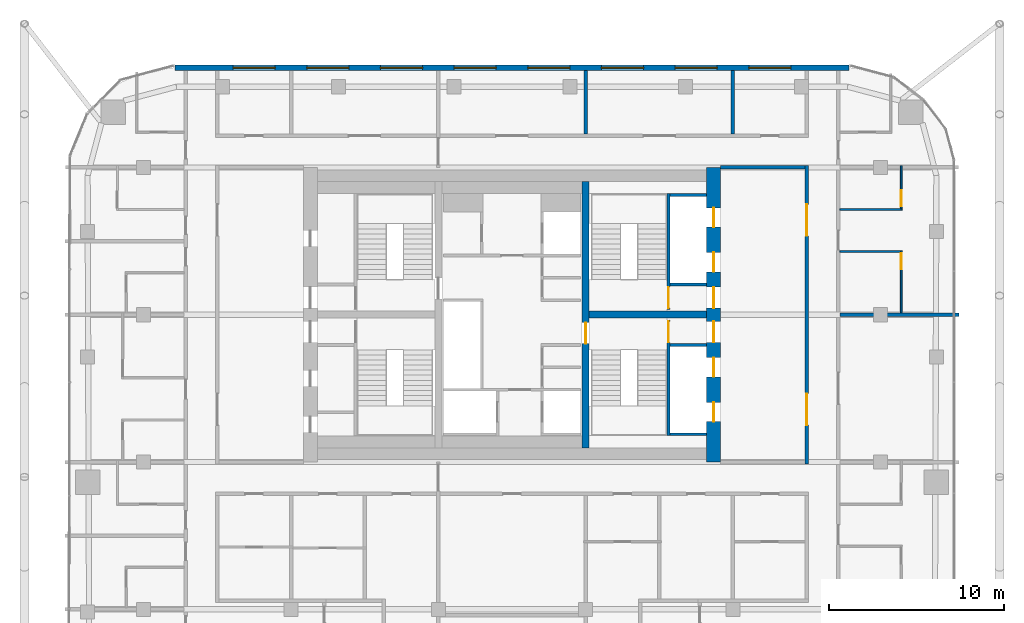
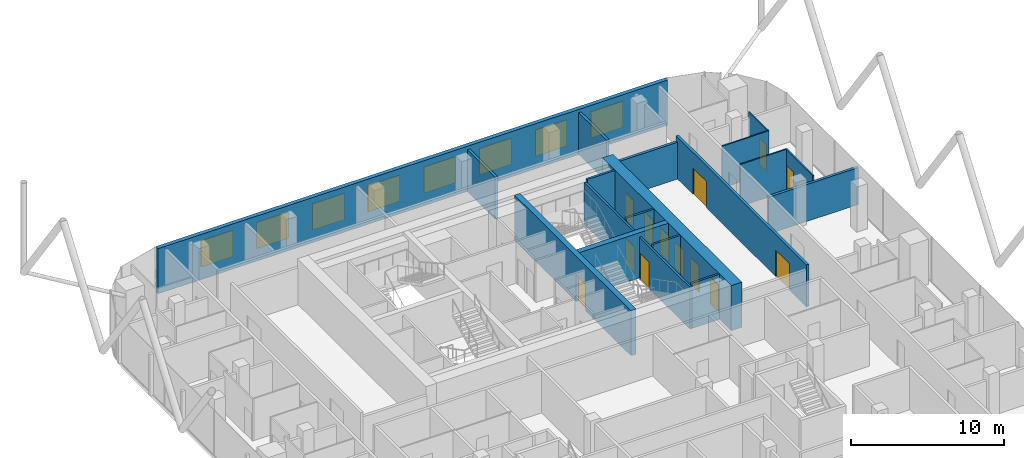
# One storey, part 26 of 28: 19 walls, 13 doors, 8 windows, 21 openings.
"""IFC4 building model written with IfcOpenShell, lengths in metres."""

from ifc_helpers import new_model, si_unit, direction, frame, frame_2d, origin, place, context, subcontext, project, spatial, rectangle, extrude, material, layer, layer_set, type_object, element, fill, save


model = new_model("IFC4")

# Units and contexts
model_context = context("Model", 3, precision=1e-05, world=origin(), true_north=direction((0.0, 1.0)))
body_context = subcontext(model_context, "Body", "Model", "MODEL_VIEW")
ifc_project = project(units=[si_unit("LENGTHUNIT", "METRE"), si_unit("AREAUNIT", "SQUARE_METRE"), si_unit("VOLUMEUNIT", "CUBIC_METRE"), si_unit("PLANEANGLEUNIT", "RADIAN"), si_unit("MASSUNIT", "GRAM", prefix="KILO")], contexts=[model_context])

# Site, building, storey
site_placement = place(None, origin())
site = spatial("IfcSite", under=ifc_project, at=site_placement, CompositionType="ELEMENT")
building_placement = place(site_placement, origin())
building = spatial("IfcBuilding", under=site, at=building_placement, Name="Marenta Gate Hotel Tower", CompositionType="ELEMENT")
storey_placement = place(building_placement, frame((0.0, 0.0, 227.300048828125)))
storey = spatial("IfcBuildingStorey", under=building, at=storey_placement, Name="L53", CompositionType="ELEMENT", Elevation=227.300048828125)

# Wall, openings, windows
ifc_material_1 = material(Name="Concrete C40 board-marked", Category="concrete")
ifc_layer_1 = layer(ifc_material_1, 0.300048828125)
ifc_layer_set_1 = layer_set([ifc_layer_1], Name="Concrete C40 board-marked")
wall_type_1 = type_object("IfcWallType", Name="Board-marked concrete wall 300 mm", PredefinedType="NOTDEFINED", material=ifc_layer_set_1)
wall_1_placement = place(storey_placement, frame((19.205810546875, 22.489990234375, 0.0), z_axis=(0.0, 0.0, 1.0), x_axis=(-1.0, 0.0, 0.0)))
wall_1 = element("IfcWall", 1, at=wall_1_placement, inside=storey, type_object=wall_type_1, Name="L53-CLD-N00", PredefinedType="NOTDEFINED", context=body_context, shape_type="SweptSolid", body=[
    extrude(rectangle(XDim=38.41162109375, YDim=0.300048828125, at=frame_2d((19.205810546875, 0.0))), origin(), (0.0, 0.0, 1.0), 3.599853515625),
])
opening_1_placement = place(wall_1_placement, frame((3.305908203125, 0.0, 0.89990234375)))
opening_1 = element("IfcOpeningElement", 2, at=opening_1_placement, cuts=wall_1, Name="Opening W1", PredefinedType="OPENING", context=body_context, shape_type="SweptSolid", body=[
    extrude(rectangle(XDim=2.39990234375, YDim=2.10009765625, at=frame_2d((1.199951171875, 1.050048828125))), frame((0.0, 0.14990234375, 0.0), z_axis=(0.0, -1.0, 0.0), x_axis=(1.0, 0.0, 0.0)), (0.0, 0.0, 1.0), 0.300048828125),
])
opening_2_placement = place(wall_1_placement, frame((7.505859375, 0.0, 0.89990234375)))
opening_2 = element("IfcOpeningElement", 3, at=opening_2_placement, cuts=wall_1, Name="Opening W1", PredefinedType="OPENING", context=body_context, shape_type="SweptSolid", body=[
    extrude(rectangle(XDim=2.39990234375, YDim=2.10009765625, at=frame_2d((1.199951171875, 1.050048828125))), frame((0.0, 0.14990234375, 0.0), z_axis=(0.0, -1.0, 0.0), x_axis=(1.0, 0.0, 0.0)), (0.0, 0.0, 1.0), 0.300048828125),
])
opening_3_placement = place(wall_1_placement, frame((11.705810546875, 0.0, 0.89990234375)))
opening_3 = element("IfcOpeningElement", 4, at=opening_3_placement, cuts=wall_1, Name="Opening W1", PredefinedType="OPENING", context=body_context, shape_type="SweptSolid", body=[
    extrude(rectangle(XDim=2.39990234375, YDim=2.10009765625, at=frame_2d((1.199951171875, 1.050048828125))), frame((0.0, 0.14990234375, 0.0), z_axis=(0.0, -1.0, 0.0), x_axis=(1.0, 0.0, 0.0)), (0.0, 0.0, 1.0), 0.300048828125),
])
opening_4_placement = place(wall_1_placement, frame((15.906005859375, 0.0, 0.89990234375)))
opening_4 = element("IfcOpeningElement", 5, at=opening_4_placement, cuts=wall_1, Name="Opening W1", PredefinedType="OPENING", context=body_context, shape_type="SweptSolid", body=[
    extrude(rectangle(XDim=2.39990234375, YDim=2.10009765625, at=frame_2d((1.199951171875, 1.050048828125))), frame((0.0, 0.14990234375, 0.0), z_axis=(0.0, -1.0, 0.0), x_axis=(1.0, 0.0, 0.0)), (0.0, 0.0, 1.0), 0.300048828125),
])
opening_5_placement = place(wall_1_placement, frame((20.10595703125, 0.0, 0.89990234375)))
opening_5 = element("IfcOpeningElement", 6, at=opening_5_placement, cuts=wall_1, Name="Opening W1", PredefinedType="OPENING", context=body_context, shape_type="SweptSolid", body=[
    extrude(rectangle(XDim=2.39990234375, YDim=2.10009765625, at=frame_2d((1.199951171875, 1.050048828125))), frame((0.0, 0.14990234375, 0.0), z_axis=(0.0, -1.0, 0.0), x_axis=(1.0, 0.0, 0.0)), (0.0, 0.0, 1.0), 0.300048828125),
])
opening_6_placement = place(wall_1_placement, frame((24.305908203125, 0.0, 0.89990234375)))
opening_6 = element("IfcOpeningElement", 7, at=opening_6_placement, cuts=wall_1, Name="Opening W1", PredefinedType="OPENING", context=body_context, shape_type="SweptSolid", body=[
    extrude(rectangle(XDim=2.39990234375, YDim=2.10009765625, at=frame_2d((1.199951171875, 1.050048828125))), frame((0.0, 0.14990234375, 0.0), z_axis=(0.0, -1.0, 0.0), x_axis=(1.0, 0.0, 0.0)), (0.0, 0.0, 1.0), 0.300048828125),
])
opening_7_placement = place(wall_1_placement, frame((28.505859375, 0.0, 0.89990234375)))
opening_7 = element("IfcOpeningElement", 8, at=opening_7_placement, cuts=wall_1, Name="Opening W1", PredefinedType="OPENING", context=body_context, shape_type="SweptSolid", body=[
    extrude(rectangle(XDim=2.39990234375, YDim=2.10009765625, at=frame_2d((1.199951171875, 1.050048828125))), frame((0.0, 0.14990234375, 0.0), z_axis=(0.0, -1.0, 0.0), x_axis=(1.0, 0.0, 0.0)), (0.0, 0.0, 1.0), 0.300048828125),
])
opening_8_placement = place(wall_1_placement, frame((32.705810546875, 0.0, 0.89990234375)))
opening_8 = element("IfcOpeningElement", 9, at=opening_8_placement, cuts=wall_1, Name="Opening W1", PredefinedType="OPENING", context=body_context, shape_type="SweptSolid", body=[
    extrude(rectangle(XDim=2.39990234375, YDim=2.10009765625, at=frame_2d((1.199951171875, 1.050048828125))), frame((0.0, 0.14990234375, 0.0), z_axis=(0.0, -1.0, 0.0), x_axis=(1.0, 0.0, 0.0)), (0.0, 0.0, 1.0), 0.300048828125),
])
ifc_material_2 = material(Name="Tinted insulated glass in bronze anodised frame", Category="glass")
window_type = type_object("IfcWindowType", Name="Window W1 2400x2100 bronze frame", PartitioningType="SINGLE_PANEL", PredefinedType="WINDOW", material=ifc_material_2)
window_1_placement = place(opening_1_placement, origin())
window_1 = element("IfcWindow", 10, at=window_1_placement, inside=storey, type_object=window_type, Name="Window W1", OverallHeight=2.10009765625, OverallWidth=2.39990234375, PartitioningType="SINGLE_PANEL", PredefinedType="WINDOW", context=body_context, shape_type="SweptSolid", body=[
    extrude(rectangle(XDim=2.39990234375, YDim=2.10009765625, at=frame_2d((1.199951171875, 1.050048828125))), frame((0.0, 0.030029296875, 0.0), z_axis=(0.0, -1.0, 0.0), x_axis=(1.0, 0.0, 0.0)), (0.0, 0.0, 1.0), 0.06005859375),
])
fill(opening_1, window_1)
window_2_placement = place(opening_2_placement, origin())
window_2 = element("IfcWindow", 11, at=window_2_placement, inside=storey, type_object=window_type, Name="Window W1", OverallHeight=2.10009765625, OverallWidth=2.39990234375, PartitioningType="SINGLE_PANEL", PredefinedType="WINDOW", context=body_context, shape_type="SweptSolid", body=[
    extrude(rectangle(XDim=2.39990234375, YDim=2.10009765625, at=frame_2d((1.199951171875, 1.050048828125))), frame((0.0, 0.030029296875, 0.0), z_axis=(0.0, -1.0, 0.0), x_axis=(1.0, 0.0, 0.0)), (0.0, 0.0, 1.0), 0.06005859375),
])
fill(opening_2, window_2)
window_3_placement = place(opening_3_placement, origin())
window_3 = element("IfcWindow", 12, at=window_3_placement, inside=storey, type_object=window_type, Name="Window W1", OverallHeight=2.10009765625, OverallWidth=2.39990234375, PartitioningType="SINGLE_PANEL", PredefinedType="WINDOW", context=body_context, shape_type="SweptSolid", body=[
    extrude(rectangle(XDim=2.39990234375, YDim=2.10009765625, at=frame_2d((1.199951171875, 1.050048828125))), frame((0.0, 0.030029296875, 0.0), z_axis=(0.0, -1.0, 0.0), x_axis=(1.0, 0.0, 0.0)), (0.0, 0.0, 1.0), 0.06005859375),
])
fill(opening_3, window_3)
window_4_placement = place(opening_4_placement, origin())
window_4 = element("IfcWindow", 13, at=window_4_placement, inside=storey, type_object=window_type, Name="Window W1", OverallHeight=2.10009765625, OverallWidth=2.39990234375, PartitioningType="SINGLE_PANEL", PredefinedType="WINDOW", context=body_context, shape_type="SweptSolid", body=[
    extrude(rectangle(XDim=2.39990234375, YDim=2.10009765625, at=frame_2d((1.199951171875, 1.050048828125))), frame((0.0, 0.030029296875, 0.0), z_axis=(0.0, -1.0, 0.0), x_axis=(1.0, 0.0, 0.0)), (0.0, 0.0, 1.0), 0.06005859375),
])
fill(opening_4, window_4)
window_5_placement = place(opening_5_placement, origin())
window_5 = element("IfcWindow", 14, at=window_5_placement, inside=storey, type_object=window_type, Name="Window W1", OverallHeight=2.10009765625, OverallWidth=2.39990234375, PartitioningType="SINGLE_PANEL", PredefinedType="WINDOW", context=body_context, shape_type="SweptSolid", body=[
    extrude(rectangle(XDim=2.39990234375, YDim=2.10009765625, at=frame_2d((1.199951171875, 1.050048828125))), frame((0.0, 0.030029296875, 0.0), z_axis=(0.0, -1.0, 0.0), x_axis=(1.0, 0.0, 0.0)), (0.0, 0.0, 1.0), 0.06005859375),
])
fill(opening_5, window_5)
window_6_placement = place(opening_6_placement, origin())
window_6 = element("IfcWindow", 15, at=window_6_placement, inside=storey, type_object=window_type, Name="Window W1", OverallHeight=2.10009765625, OverallWidth=2.39990234375, PartitioningType="SINGLE_PANEL", PredefinedType="WINDOW", context=body_context, shape_type="SweptSolid", body=[
    extrude(rectangle(XDim=2.39990234375, YDim=2.10009765625, at=frame_2d((1.199951171875, 1.050048828125))), frame((0.0, 0.030029296875, 0.0), z_axis=(0.0, -1.0, 0.0), x_axis=(1.0, 0.0, 0.0)), (0.0, 0.0, 1.0), 0.06005859375),
])
fill(opening_6, window_6)
window_7_placement = place(opening_7_placement, origin())
window_7 = element("IfcWindow", 16, at=window_7_placement, inside=storey, type_object=window_type, Name="Window W1", OverallHeight=2.10009765625, OverallWidth=2.39990234375, PartitioningType="SINGLE_PANEL", PredefinedType="WINDOW", context=body_context, shape_type="SweptSolid", body=[
    extrude(rectangle(XDim=2.39990234375, YDim=2.10009765625, at=frame_2d((1.199951171875, 1.050048828125))), frame((0.0, 0.030029296875, 0.0), z_axis=(0.0, -1.0, 0.0), x_axis=(1.0, 0.0, 0.0)), (0.0, 0.0, 1.0), 0.06005859375),
])
fill(opening_7, window_7)
window_8_placement = place(opening_8_placement, origin())
window_8 = element("IfcWindow", 17, at=window_8_placement, inside=storey, type_object=window_type, Name="Window W1", OverallHeight=2.10009765625, OverallWidth=2.39990234375, PartitioningType="SINGLE_PANEL", PredefinedType="WINDOW", context=body_context, shape_type="SweptSolid", body=[
    extrude(rectangle(XDim=2.39990234375, YDim=2.10009765625, at=frame_2d((1.199951171875, 1.050048828125))), frame((0.0, 0.030029296875, 0.0), z_axis=(0.0, -1.0, 0.0), x_axis=(1.0, 0.0, 0.0)), (0.0, 0.0, 1.0), 0.06005859375),
])
fill(opening_8, window_8)

# Wall, openings, doors
ifc_material_3 = material(Name="Concrete blockwork", Category="masonry")
ifc_layer_2 = layer(ifc_material_3, 0.199951171875)
ifc_layer_set_2 = layer_set([ifc_layer_2], Name="Concrete blockwork")
wall_type_2 = type_object("IfcWallType", Name="Core boundary wall 200 REI 180", PredefinedType="PARTITIONING", material=ifc_layer_set_2)
wall_2_placement = place(storey_placement, frame((16.800048828125, -0.10009765625, 0.0), z_axis=(0.0, 0.0, 1.0), x_axis=(0.0, 1.0, 0.0)))
wall_2 = element("IfcWall", 18, at=wall_2_placement, inside=storey, type_object=wall_type_2, Name="L53-CP-BW-E", PredefinedType="PARTITIONING", context=body_context, shape_type="SweptSolid", body=[
    extrude(rectangle(XDim=17.0, YDim=0.199951171875, at=frame_2d((8.5, 0.0))), origin(), (0.0, 0.0, 1.0), 3.33984375),
])
opening_9_placement = place(wall_2_placement, frame((2.199951171875, 0.0, 0.0)))
opening_9 = element("IfcOpeningElement", 19, at=opening_9_placement, cuts=wall_2, Name="Opening ED-Ea-B", PredefinedType="OPENING", context=body_context, shape_type="SweptSolid", body=[
    extrude(rectangle(XDim=1.800048828125, YDim=2.10009765625, at=frame_2d((0.89990234375, 1.050048828125))), frame((0.0, 0.10009765625, 0.0), z_axis=(0.0, -1.0, 0.0), x_axis=(1.0, 0.0, 0.0)), (0.0, 0.0, 1.0), 0.199951171875),
])
opening_10_placement = place(wall_2_placement, frame((13.0, 0.0, 0.0)))
opening_10 = element("IfcOpeningElement", 20, at=opening_10_placement, cuts=wall_2, Name="Opening ED-Eb-B", PredefinedType="OPENING", context=body_context, shape_type="SweptSolid", body=[
    extrude(rectangle(XDim=1.800048828125, YDim=2.10009765625, at=frame_2d((0.89990234375, 1.050048828125))), frame((0.0, 0.10009765625, 0.0), z_axis=(0.0, -1.0, 0.0), x_axis=(1.0, 0.0, 0.0)), (0.0, 0.0, 1.0), 0.199951171875),
])
ifc_material_4 = material(Name="Steel", Category="steel")
door_type_1 = type_object("IfcDoorType", Name="Core lobby entrance door 1800x2100 EI 60", OperationType="DOUBLE_DOOR_SINGLE_SWING", PredefinedType="DOOR", material=ifc_material_4)
door_1_placement = place(opening_9_placement, origin())
door_1 = element("IfcDoor", 21, at=door_1_placement, inside=storey, type_object=door_type_1, Name="ED-Ea-B", OperationType="DOUBLE_DOOR_SINGLE_SWING", OverallHeight=2.10009765625, OverallWidth=1.800048828125, PredefinedType="DOOR", context=body_context, shape_type="SweptSolid", body=[
    extrude(rectangle(XDim=1.800048828125, YDim=2.10009765625, at=frame_2d((0.89990234375, 1.050048828125))), frame((0.0, 0.02490234375, 0.0), z_axis=(0.0, -1.0, 0.0), x_axis=(1.0, 0.0, 0.0)), (0.0, 0.0, 1.0), 0.050048828125),
])
fill(opening_9, door_1)
door_2_placement = place(opening_10_placement, origin())
door_2 = element("IfcDoor", 22, at=door_2_placement, inside=storey, type_object=door_type_1, Name="ED-Eb-B", OperationType="DOUBLE_DOOR_SINGLE_SWING", OverallHeight=2.10009765625, OverallWidth=1.800048828125, PredefinedType="DOOR", context=body_context, shape_type="SweptSolid", body=[
    extrude(rectangle(XDim=1.800048828125, YDim=2.10009765625, at=frame_2d((0.89990234375, 1.050048828125))), frame((0.0, 0.02490234375, 0.0), z_axis=(0.0, -1.0, 0.0), x_axis=(1.0, 0.0, 0.0)), (0.0, 0.0, 1.0), 0.050048828125),
])
fill(opening_10, door_2)

# Walls
wall_3_placement = place(storey_placement, frame((11.89990234375, 16.800048828125, 0.0), z_axis=(0.0, 0.0, 1.0), x_axis=(1.0, 0.0, 0.0)))
element("IfcWall", 23, at=wall_3_placement, inside=storey, type_object=wall_type_2, Name="L53-CP-EW-EN", PredefinedType="PARTITIONING", context=body_context, shape_type="SweptSolid", body=[
    extrude(rectangle(XDim=4.800048828125, YDim=0.199951171875, at=frame_2d((2.39990234375, 0.0))), origin(), (0.0, 0.0, 1.0), 2.93994140625),
])
ifc_material_5 = material(Name="Concrete C40", Category="concrete")
ifc_layer_3 = layer(ifc_material_5, 0.14990234375)
ifc_layer_set_3 = layer_set([ifc_layer_3], Name="Concrete C40")
wall_type_3 = type_object("IfcWallType", Name="Core shaft wall 150 REI 180", PredefinedType="SHEAR", material=ifc_layer_set_3)
for number, where, z_axis, x_axis, name in (
    (24, (9.0, 6.675048828125, 0.0), (0.0, 0.0, 1.0), (1.0, 0.0, 0.0), "L53-SHF-SW-ES-2"),
    (25, (9.0, 1.574951171875, 0.0), (0.0, 0.0, 1.0), (1.0, 0.0, 0.0), "L53-SHF-SW-ES-5"),
    (26, (9.0, 10.125, 0.0), (0.0, 0.0, 1.0), (1.0, 0.0, 0.0), "L53-SHF-SW-EN-2"),
    (27, (9.0, 15.22509765625, 0.0), (0.0, 0.0, 1.0), (1.0, 0.0, 0.0), "L53-SHF-SW-EN-5"),
):
    element("IfcWall", number, at=place(storey_placement, frame(where, z_axis=z_axis, x_axis=x_axis)), inside=storey, type_object=wall_type_3, Name=name, PredefinedType="SHEAR", context=body_context, shape_type="SweptSolid", body=[
        extrude(rectangle(XDim=2.10009765625, YDim=0.14990234375, at=frame_2d((1.050048828125, 0.0))), origin(), (0.0, 0.0, 1.0), 3.599853515625),
    ])

# Wall, opening, door
ifc_material_6 = material(Name="Concrete C40", Category="concrete")
ifc_layer_4 = layer(ifc_material_6, 0.14990234375)
ifc_layer_set_4 = layer_set([ifc_layer_4], Name="Concrete C40")
wall_type_4 = type_object("IfcWallType", Name="Core stair enclosure wall 150 REI 180", PredefinedType="SHEAR", material=ifc_layer_set_4)
wall_4_placement = place(storey_placement, frame((8.925048828125, 1.5, 0.0), z_axis=(0.0, 0.0, 1.0), x_axis=(0.0, 1.0, 0.0)))
wall_4 = element("IfcWall", 28, at=wall_4_placement, inside=storey, type_object=wall_type_4, Name="L53-SHF-SW-ES-3", PredefinedType="SHEAR", context=body_context, shape_type="SweptSolid", body=[
    extrude(rectangle(XDim=6.60009765625, YDim=0.14990234375, at=frame_2d((3.300048828125, 0.0))), origin(), (0.0, 0.0, 1.0), 3.33984375),
])
opening_11_placement = place(wall_4_placement, frame((5.324951171875, 0.0, 0.0)))
opening_11 = element("IfcOpeningElement", 29, at=opening_11_placement, cuts=wall_4, Name="Opening SD-ES", PredefinedType="OPENING", context=body_context, shape_type="SweptSolid", body=[
    extrude(rectangle(XDim=1.199951171875, YDim=2.10009765625, at=frame_2d((0.60009765625, 1.050048828125))), frame((0.0, 0.074951171875, 0.0), z_axis=(0.0, -1.0, 0.0), x_axis=(1.0, 0.0, 0.0)), (0.0, 0.0, 1.0), 0.14990234375),
])
ifc_material_7 = material(Name="Steel", Category="steel")
door_type_2 = type_object("IfcDoorType", Name="Core stair door 1200x2100 FD60", OperationType="SINGLE_SWING_LEFT", PredefinedType="DOOR", material=ifc_material_7)
door_3_placement = place(opening_11_placement, origin())
door_3 = element("IfcDoor", 30, at=door_3_placement, inside=storey, type_object=door_type_2, Name="SD-ES", OperationType="SINGLE_SWING_LEFT", OverallHeight=2.10009765625, OverallWidth=1.199951171875, PredefinedType="DOOR", context=body_context, shape_type="SweptSolid", body=[
    extrude(rectangle(XDim=1.199951171875, YDim=2.10009765625, at=frame_2d((0.60009765625, 1.050048828125))), frame((0.0, 0.02490234375, 0.0), z_axis=(0.0, -1.0, 0.0), x_axis=(1.0, 0.0, 0.0)), (0.0, 0.0, 1.0), 0.050048828125),
])
fill(opening_11, door_3)

wall_5_placement = place(storey_placement, frame((8.925048828125, 8.699951171875, 0.0), z_axis=(0.0, 0.0, 1.0), x_axis=(0.0, 1.0, 0.0)))
wall_5 = element("IfcWall", 31, at=wall_5_placement, inside=storey, type_object=wall_type_4, Name="L53-SHF-SW-EN-3", PredefinedType="SHEAR", context=body_context, shape_type="SweptSolid", body=[
    extrude(rectangle(XDim=6.60009765625, YDim=0.14990234375, at=frame_2d((3.300048828125, 0.0))), origin(), (0.0, 0.0, 1.0), 3.33984375),
])
opening_12_placement = place(wall_5_placement, frame((0.074951171875, 0.0, 0.0)))
opening_12 = element("IfcOpeningElement", 32, at=opening_12_placement, cuts=wall_5, Name="Opening SD-EN", PredefinedType="OPENING", context=body_context, shape_type="SweptSolid", body=[
    extrude(rectangle(XDim=1.199951171875, YDim=2.10009765625, at=frame_2d((0.60009765625, 1.050048828125))), frame((0.0, 0.074951171875, 0.0), z_axis=(0.0, -1.0, 0.0), x_axis=(1.0, 0.0, 0.0)), (0.0, 0.0, 1.0), 0.14990234375),
])
door_4_placement = place(opening_12_placement, origin())
door_4 = element("IfcDoor", 33, at=door_4_placement, inside=storey, type_object=door_type_2, Name="SD-EN", OperationType="SINGLE_SWING_LEFT", OverallHeight=2.10009765625, OverallWidth=1.199951171875, PredefinedType="DOOR", context=body_context, shape_type="SweptSolid", body=[
    extrude(rectangle(XDim=1.199951171875, YDim=2.10009765625, at=frame_2d((0.60009765625, 1.050048828125))), frame((0.0, 0.02490234375, 0.0), z_axis=(0.0, -1.0, 0.0), x_axis=(1.0, 0.0, 0.0)), (0.0, 0.0, 1.0), 0.050048828125),
])
fill(opening_12, door_4)

# Wall, openings, doors
ifc_material_8 = material(Name="Concrete C60", Category="concrete")
ifc_layer_5 = layer(ifc_material_8, 0.800048828125)
ifc_layer_set_5 = layer_set([ifc_layer_5], Name="Concrete C60")
wall_type_5 = type_object("IfcWallType", Name="Core wall 800 C60", PredefinedType="SHEAR", material=ifc_layer_set_5)
wall_6_placement = place(storey_placement, frame((11.5, 0.0, 0.0), z_axis=(0.0, 0.0, 1.0), x_axis=(0.0, 1.0, 0.0)))
wall_6 = element("IfcWall", 34, at=wall_6_placement, inside=storey, type_object=wall_type_5, Name="L53-CORE-E", PredefinedType="SHEAR", context=body_context, shape_type="SweptSolid", body=[
    extrude(rectangle(XDim=16.800048828125, YDim=0.800048828125, at=frame_2d((8.39990234375, 0.0))), origin(), (0.0, 0.0, 1.0), 3.599853515625),
])
opening_13_placement = place(wall_6_placement, frame((2.300048828125, 0.0, 0.0)))
opening_13 = element("IfcOpeningElement", 35, at=opening_13_placement, cuts=wall_6, Name="Opening LD-HR1", PredefinedType="OPENING", context=body_context, shape_type="SweptSolid", body=[
    extrude(rectangle(XDim=1.10009765625, YDim=2.10009765625, at=frame_2d((0.550048828125, 1.050048828125))), frame((0.0, 0.39990234375, 0.0), z_axis=(0.0, -1.0, 0.0), x_axis=(1.0, 0.0, 0.0)), (0.0, 0.0, 1.0), 0.800048828125),
])
opening_14_placement = place(wall_6_placement, frame((4.85009765625, 0.0, 0.0)))
opening_14 = element("IfcOpeningElement", 36, at=opening_14_placement, cuts=wall_6, Name="Opening LD-HR2", PredefinedType="OPENING", context=body_context, shape_type="SweptSolid", body=[
    extrude(rectangle(XDim=1.10009765625, YDim=2.10009765625, at=frame_2d((0.550048828125, 1.050048828125))), frame((0.0, 0.39990234375, 0.0), z_axis=(0.0, -1.0, 0.0), x_axis=(1.0, 0.0, 0.0)), (0.0, 0.0, 1.0), 0.800048828125),
])
opening_15_placement = place(wall_6_placement, frame((6.824951171875, 0.0, 0.0)))
opening_15 = element("IfcOpeningElement", 37, at=opening_15_placement, cuts=wall_6, Name="Opening PD-ES", PredefinedType="OPENING", context=body_context, shape_type="SweptSolid", body=[
    extrude(rectangle(XDim=1.199951171875, YDim=2.10009765625, at=frame_2d((0.60009765625, 1.050048828125))), frame((0.0, 0.39990234375, 0.0), z_axis=(0.0, -1.0, 0.0), x_axis=(1.0, 0.0, 0.0)), (0.0, 0.0, 1.0), 0.800048828125),
])
opening_16_placement = place(wall_6_placement, frame((13.39990234375, 0.0, 0.0)))
opening_16 = element("IfcOpeningElement", 38, at=opening_16_placement, cuts=wall_6, Name="Opening LD-HR4", PredefinedType="OPENING", context=body_context, shape_type="SweptSolid", body=[
    extrude(rectangle(XDim=1.10009765625, YDim=2.10009765625, at=frame_2d((0.550048828125, 1.050048828125))), frame((0.0, 0.39990234375, 0.0), z_axis=(0.0, -1.0, 0.0), x_axis=(1.0, 0.0, 0.0)), (0.0, 0.0, 1.0), 0.800048828125),
])
opening_17_placement = place(wall_6_placement, frame((10.85009765625, 0.0, 0.0)))
opening_17 = element("IfcOpeningElement", 39, at=opening_17_placement, cuts=wall_6, Name="Opening LD-HR3", PredefinedType="OPENING", context=body_context, shape_type="SweptSolid", body=[
    extrude(rectangle(XDim=1.10009765625, YDim=2.10009765625, at=frame_2d((0.550048828125, 1.050048828125))), frame((0.0, 0.39990234375, 0.0), z_axis=(0.0, -1.0, 0.0), x_axis=(1.0, 0.0, 0.0)), (0.0, 0.0, 1.0), 0.800048828125),
])
opening_18_placement = place(wall_6_placement, frame((8.77490234375, 0.0, 0.0)))
opening_18 = element("IfcOpeningElement", 40, at=opening_18_placement, cuts=wall_6, Name="Opening PD-EN", PredefinedType="OPENING", context=body_context, shape_type="SweptSolid", body=[
    extrude(rectangle(XDim=1.199951171875, YDim=2.10009765625, at=frame_2d((0.60009765625, 1.050048828125))), frame((0.0, 0.39990234375, 0.0), z_axis=(0.0, -1.0, 0.0), x_axis=(1.0, 0.0, 0.0)), (0.0, 0.0, 1.0), 0.800048828125),
])
ifc_material_9 = material(Name="Steel", Category="steel")
door_type_3 = type_object("IfcDoorType", Name="Core lift landing door 1100x2100 E 60", OperationType="SLIDING_TO_LEFT", PredefinedType="DOOR", material=ifc_material_9)
door_5_placement = place(opening_13_placement, origin())
door_5 = element("IfcDoor", 41, at=door_5_placement, inside=storey, type_object=door_type_3, Name="LD-HR1", OperationType="SLIDING_TO_LEFT", OverallHeight=2.10009765625, OverallWidth=1.10009765625, PredefinedType="DOOR", context=body_context, shape_type="SweptSolid", body=[
    extrude(rectangle(XDim=1.10009765625, YDim=2.10009765625, at=frame_2d((0.550048828125, 1.050048828125))), frame((0.0, 0.02490234375, 0.0), z_axis=(0.0, -1.0, 0.0), x_axis=(1.0, 0.0, 0.0)), (0.0, 0.0, 1.0), 0.050048828125),
])
fill(opening_13, door_5)
door_6_placement = place(opening_14_placement, origin())
door_6 = element("IfcDoor", 42, at=door_6_placement, inside=storey, type_object=door_type_3, Name="LD-HR2", OperationType="SLIDING_TO_LEFT", OverallHeight=2.10009765625, OverallWidth=1.10009765625, PredefinedType="DOOR", context=body_context, shape_type="SweptSolid", body=[
    extrude(rectangle(XDim=1.10009765625, YDim=2.10009765625, at=frame_2d((0.550048828125, 1.050048828125))), frame((0.0, 0.02490234375, 0.0), z_axis=(0.0, -1.0, 0.0), x_axis=(1.0, 0.0, 0.0)), (0.0, 0.0, 1.0), 0.050048828125),
])
fill(opening_14, door_6)
door_7_placement = place(opening_16_placement, origin())
door_7 = element("IfcDoor", 43, at=door_7_placement, inside=storey, type_object=door_type_3, Name="LD-HR4", OperationType="SLIDING_TO_LEFT", OverallHeight=2.10009765625, OverallWidth=1.10009765625, PredefinedType="DOOR", context=body_context, shape_type="SweptSolid", body=[
    extrude(rectangle(XDim=1.10009765625, YDim=2.10009765625, at=frame_2d((0.550048828125, 1.050048828125))), frame((0.0, 0.02490234375, 0.0), z_axis=(0.0, -1.0, 0.0), x_axis=(1.0, 0.0, 0.0)), (0.0, 0.0, 1.0), 0.050048828125),
])
fill(opening_16, door_7)
door_8_placement = place(opening_17_placement, origin())
door_8 = element("IfcDoor", 44, at=door_8_placement, inside=storey, type_object=door_type_3, Name="LD-HR3", OperationType="SLIDING_TO_LEFT", OverallHeight=2.10009765625, OverallWidth=1.10009765625, PredefinedType="DOOR", context=body_context, shape_type="SweptSolid", body=[
    extrude(rectangle(XDim=1.10009765625, YDim=2.10009765625, at=frame_2d((0.550048828125, 1.050048828125))), frame((0.0, 0.02490234375, 0.0), z_axis=(0.0, -1.0, 0.0), x_axis=(1.0, 0.0, 0.0)), (0.0, 0.0, 1.0), 0.050048828125),
])
fill(opening_17, door_8)
ifc_material_10 = material(Name="Steel", Category="steel")
door_type_4 = type_object("IfcDoorType", Name="Core lobby door 1200x2100 FD60", OperationType="SINGLE_SWING_LEFT", PredefinedType="DOOR", material=ifc_material_10)
door_9_placement = place(opening_15_placement, origin())
door_9 = element("IfcDoor", 45, at=door_9_placement, inside=storey, type_object=door_type_4, Name="PD-ES", OperationType="SINGLE_SWING_LEFT", OverallHeight=2.10009765625, OverallWidth=1.199951171875, PredefinedType="DOOR", context=body_context, shape_type="SweptSolid", body=[
    extrude(rectangle(XDim=1.199951171875, YDim=2.10009765625, at=frame_2d((0.60009765625, 1.050048828125))), frame((0.0, 0.02490234375, 0.0), z_axis=(0.0, -1.0, 0.0), x_axis=(1.0, 0.0, 0.0)), (0.0, 0.0, 1.0), 0.050048828125),
])
fill(opening_15, door_9)
door_10_placement = place(opening_18_placement, origin())
door_10 = element("IfcDoor", 46, at=door_10_placement, inside=storey, type_object=door_type_4, Name="PD-EN", OperationType="SINGLE_SWING_LEFT", OverallHeight=2.10009765625, OverallWidth=1.199951171875, PredefinedType="DOOR", context=body_context, shape_type="SweptSolid", body=[
    extrude(rectangle(XDim=1.199951171875, YDim=2.10009765625, at=frame_2d((0.60009765625, 1.050048828125))), frame((0.0, 0.02490234375, 0.0), z_axis=(0.0, -1.0, 0.0), x_axis=(1.0, 0.0, 0.0)), (0.0, 0.0, 1.0), 0.050048828125),
])
fill(opening_18, door_10)

# Wall, opening, door
ifc_material_11 = material(Name="Concrete C60", Category="concrete")
ifc_layer_6 = layer(ifc_material_11, 0.39990234375)
ifc_layer_set_6 = layer_set([ifc_layer_6], Name="Concrete C60")
wall_type_6 = type_object("IfcWallType", Name="Core web 400 C60", PredefinedType="SHEAR", material=ifc_layer_set_6)
wall_7_placement = place(storey_placement, frame((4.199951171875, 0.800048828125, 0.0), z_axis=(0.0, 0.0, 1.0), x_axis=(0.0, 1.0, 0.0)))
wall_7 = element("IfcWall", 47, at=wall_7_placement, inside=storey, type_object=wall_type_6, Name="L53-CORE-W2", PredefinedType="SHEAR", context=body_context, shape_type="SweptSolid", body=[
    extrude(rectangle(XDim=15.199951171875, YDim=0.39990234375, at=frame_2d((7.60009765625, 0.0))), origin(), (0.0, 0.0, 1.0), 3.599853515625),
])
opening_19_placement = place(wall_7_placement, frame((5.949951171875, 0.0, 0.0)))
opening_19 = element("IfcOpeningElement", 48, at=opening_19_placement, cuts=wall_7, Name="Opening WD-E", PredefinedType="OPENING", context=body_context, shape_type="SweptSolid", body=[
    extrude(rectangle(XDim=1.199951171875, YDim=2.10009765625, at=frame_2d((0.60009765625, 1.050048828125))), frame((0.0, 0.199951171875, 0.0), z_axis=(0.0, -1.0, 0.0), x_axis=(1.0, 0.0, 0.0)), (0.0, 0.0, 1.0), 0.39990234375),
])
door_11_placement = place(opening_19_placement, origin())
door_11 = element("IfcDoor", 49, at=door_11_placement, inside=storey, type_object=door_type_2, Name="WD-E", OperationType="SINGLE_SWING_LEFT", OverallHeight=2.10009765625, OverallWidth=1.199951171875, PredefinedType="DOOR", context=body_context, shape_type="SweptSolid", body=[
    extrude(rectangle(XDim=1.199951171875, YDim=2.10009765625, at=frame_2d((0.60009765625, 1.050048828125))), frame((0.0, 0.02490234375, 0.0), z_axis=(0.0, -1.0, 0.0), x_axis=(1.0, 0.0, 0.0)), (0.0, 0.0, 1.0), 0.050048828125),
])
fill(opening_19, door_11)

# Wall
wall_8_placement = place(storey_placement, frame((4.39990234375, 8.39990234375, 0.0), z_axis=(0.0, 0.0, 1.0), x_axis=(1.0, 0.0, 0.0)))
element("IfcWall", 50, at=wall_8_placement, inside=storey, type_object=wall_type_6, Name="L53-CORE-W4", PredefinedType="SHEAR", context=body_context, shape_type="SweptSolid", body=[
    extrude(rectangle(XDim=6.7001953125, YDim=0.39990234375, at=frame_2d((3.35009765625, 0.0))), origin(), (0.0, 0.0, 1.0), 3.599853515625),
])

# Wall, opening, door
ifc_material_12 = material(Name="Gypsum board on steel stud", Category="steel")
ifc_layer_7 = layer(ifc_material_12, 0.10009765625)
ifc_layer_set_7 = layer_set([ifc_layer_7], Name="Gypsum board on steel stud")
wall_type_7 = type_object("IfcWallType", Name="Room partition 100", PredefinedType="PARTITIONING", material=ifc_layer_set_7)
wall_9_placement = place(storey_placement, frame((22.199951171875, 8.5, 0.0), z_axis=(0.0, 0.0, 1.0), x_axis=(0.0, 1.0, 0.0)))
wall_9 = element("IfcWall", 51, at=wall_9_placement, inside=storey, type_object=wall_type_7, Name="L53-PTN-W012", PredefinedType="PARTITIONING", context=body_context, shape_type="SweptSolid", body=[
    extrude(rectangle(XDim=3.550048828125, YDim=0.10009765625, at=frame_2d((1.77490234375, 0.0))), origin(), (0.0, 0.0, 1.0), 3.33984375),
])
opening_20_placement = place(wall_9_placement, frame((2.5, 0.0, 0.0)))
opening_20 = element("IfcOpeningElement", 52, at=opening_20_placement, cuts=wall_9, Name="Opening G19-27", PredefinedType="OPENING", context=body_context, shape_type="SweptSolid", body=[
    extrude(rectangle(XDim=0.89990234375, YDim=2.10009765625, at=frame_2d((0.449951171875, 1.050048828125))), frame((0.0, 0.050048828125, 0.0), z_axis=(0.0, -1.0, 0.0), x_axis=(1.0, 0.0, 0.0)), (0.0, 0.0, 1.0), 0.10009765625),
])
ifc_material_13 = material(Name="Timber door leaf", Category="wood")
door_type_5 = type_object("IfcDoorType", Name="Guest bathroom door 900x2100", OperationType="NOTDEFINED", PredefinedType="DOOR", material=ifc_material_13)
door_12_placement = place(opening_20_placement, origin())
door_12 = element("IfcDoor", 53, at=door_12_placement, inside=storey, type_object=door_type_5, Name="L53-PD-D027", OperationType="SINGLE_SWING_RIGHT", OverallHeight=2.10009765625, OverallWidth=0.89990234375, PredefinedType="DOOR", context=body_context, shape_type="SweptSolid", body=[
    extrude(rectangle(XDim=0.89990234375, YDim=2.10009765625, at=frame_2d((0.449951171875, 1.050048828125))), frame((0.0, 0.02490234375, 0.0), z_axis=(0.0, -1.0, 0.0), x_axis=(1.0, 0.0, 0.0)), (0.0, 0.0, 1.0), 0.050048828125),
])
fill(opening_20, door_12)

wall_10_placement = place(storey_placement, frame((22.199951171875, 14.449951171875, 0.0), z_axis=(0.0, 0.0, 1.0), x_axis=(0.0, 1.0, 0.0)))
wall_10 = element("IfcWall", 54, at=wall_10_placement, inside=storey, type_object=wall_type_7, Name="L53-PTN-W013", PredefinedType="PARTITIONING", context=body_context, shape_type="SweptSolid", body=[
    extrude(rectangle(XDim=2.449951171875, YDim=0.10009765625, at=frame_2d((1.22509765625, 0.0))), origin(), (0.0, 0.0, 1.0), 3.33984375),
])
opening_21_placement = place(wall_10_placement, frame((0.14990234375, 0.0, 0.0)))
opening_21 = element("IfcOpeningElement", 55, at=opening_21_placement, cuts=wall_10, Name="Opening G19-28", PredefinedType="OPENING", context=body_context, shape_type="SweptSolid", body=[
    extrude(rectangle(XDim=0.89990234375, YDim=2.10009765625, at=frame_2d((0.449951171875, 1.050048828125))), frame((0.0, 0.050048828125, 0.0), z_axis=(0.0, -1.0, 0.0), x_axis=(1.0, 0.0, 0.0)), (0.0, 0.0, 1.0), 0.10009765625),
])
ifc_material_14 = material(Name="Timber door leaf", Category="wood")
door_type_6 = type_object("IfcDoorType", Name="Room inner door 900x2100", OperationType="NOTDEFINED", PredefinedType="DOOR", material=ifc_material_14)
door_13_placement = place(opening_21_placement, origin())
door_13 = element("IfcDoor", 56, at=door_13_placement, inside=storey, type_object=door_type_6, Name="L53-PD-D028", OperationType="SINGLE_SWING_LEFT", OverallHeight=2.10009765625, OverallWidth=0.89990234375, PredefinedType="DOOR", context=body_context, shape_type="SweptSolid", body=[
    extrude(rectangle(XDim=0.89990234375, YDim=2.10009765625, at=frame_2d((0.449951171875, 1.050048828125))), frame((0.0, 0.02490234375, 0.0), z_axis=(0.0, -1.0, 0.0), x_axis=(1.0, 0.0, 0.0)), (0.0, 0.0, 1.0), 0.050048828125),
])
fill(opening_21, door_13)

# Walls
wall_11_placement = place(storey_placement, frame((18.699951171875, 12.0, 0.0), z_axis=(0.0, 0.0, 1.0), x_axis=(1.0, 0.0, 0.0)))
element("IfcWall", 57, at=wall_11_placement, inside=storey, type_object=wall_type_7, Name="L53-PTN-W094", PredefinedType="PARTITIONING", context=body_context, shape_type="SweptSolid", body=[
    extrude(rectangle(XDim=3.449951171875, YDim=0.10009765625, at=frame_2d((1.72509765625, 0.0))), origin(), (0.0, 0.0, 1.0), 3.33984375),
])
wall_12_placement = place(storey_placement, frame((18.699951171875, 14.39990234375, 0.0), z_axis=(0.0, 0.0, 1.0), x_axis=(1.0, 0.0, 0.0)))
element("IfcWall", 58, at=wall_12_placement, inside=storey, type_object=wall_type_7, Name="L53-PTN-W102", PredefinedType="PARTITIONING", context=body_context, shape_type="SweptSolid", body=[
    extrude(rectangle(XDim=3.550048828125, YDim=0.10009765625, at=frame_2d((1.77490234375, 0.0))), origin(), (0.0, 0.0, 1.0), 3.33984375),
])
ifc_material_15 = material(Name="Gypsum board on steel stud", Category="steel")
ifc_layer_8 = layer(ifc_material_15, 0.199951171875)
ifc_layer_set_8 = layer_set([ifc_layer_8], Name="Gypsum board on steel stud")
wall_type_8 = type_object("IfcWallType", Name="Room party wall 200 EI 60", PredefinedType="PARTITIONING", material=ifc_layer_set_8)
for number, where, z_axis, x_axis, name in (
    (59, (12.60009765625, 18.699951171875, 0.0), (0.0, 0.0, 1.0), (0.0, 1.0, 0.0), "L53-PTN-W039"),
    (60, (4.199951171875, 18.699951171875, 0.0), (0.0, 0.0, 1.0), (0.0, 1.0, 0.0), "L53-PTN-W069"),
):
    element("IfcWall", number, at=place(storey_placement, frame(where, z_axis=z_axis, x_axis=x_axis)), inside=storey, type_object=wall_type_8, Name=name, PredefinedType="PARTITIONING", context=body_context, shape_type="SweptSolid", body=[
        extrude(rectangle(XDim=3.64013671875, YDim=0.199951171875, at=frame_2d((1.820068359375, 0.0))), origin(), (0.0, 0.0, 1.0), 3.33984375),
    ])
wall_13_placement = place(storey_placement, frame((18.699951171875, 8.39990234375, 0.0), z_axis=(0.0, 0.0, 1.0), x_axis=(1.0, 0.0, 0.0)))
element("IfcWall", 61, at=wall_13_placement, inside=storey, type_object=wall_type_8, Name="L53-PTN-W090", PredefinedType="PARTITIONING", context=body_context, shape_type="SweptSolid", body=[
    extrude(rectangle(XDim=6.800048828125, YDim=0.199951171875, at=frame_2d((3.39990234375, 0.0))), origin(), (0.0, 0.0, 1.0), 2.93994140625),
])

save(model, "model.ifc")
